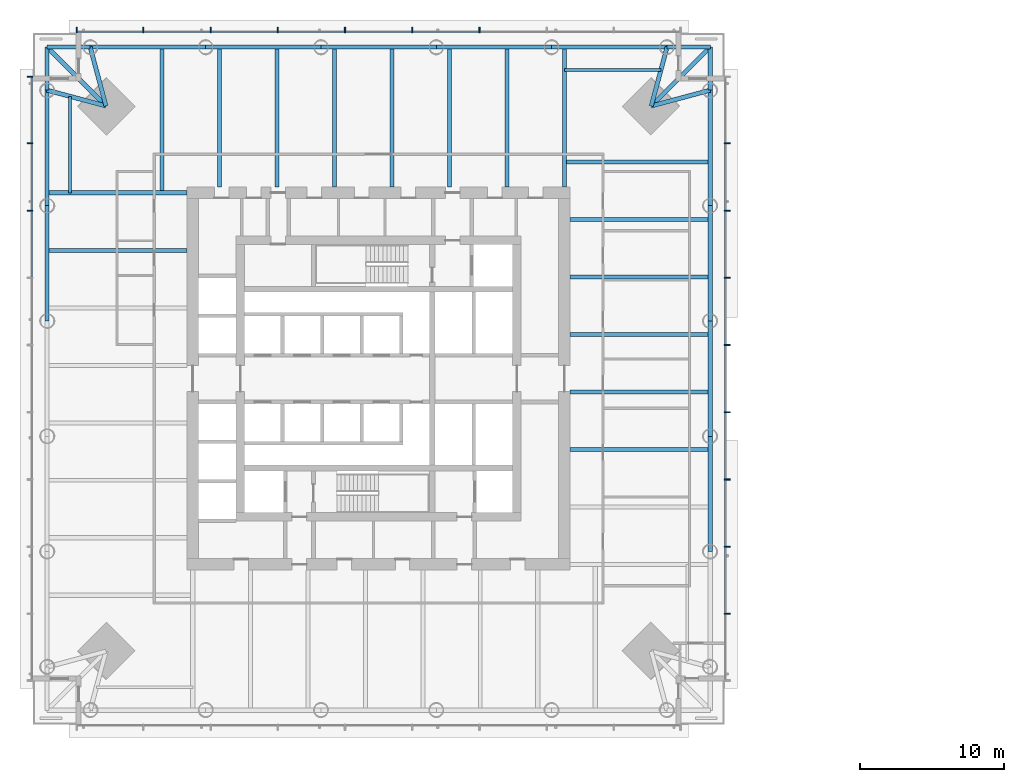
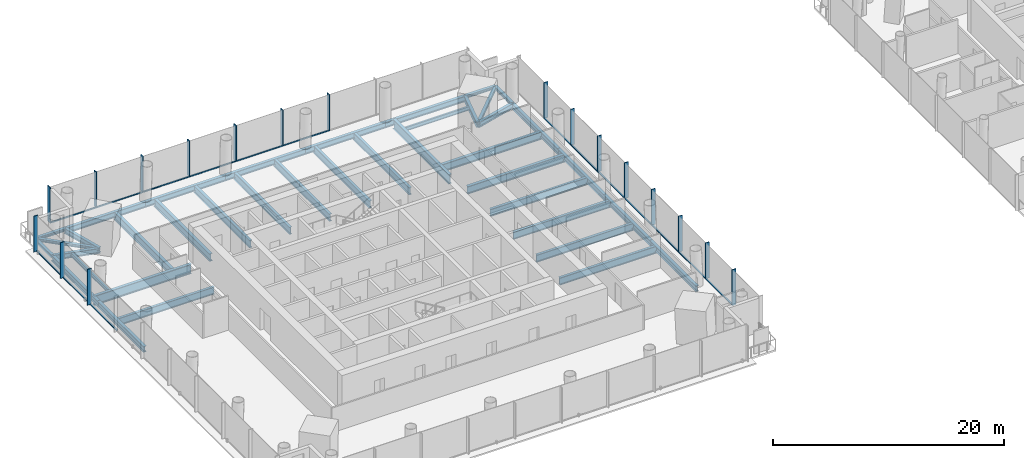
# One storey, part 3 of 26: 39 beams, 34 members, 3 elements without a shape of their own.
"""IFC4 building model written with IfcOpenShell, lengths in metres."""

from ifc_helpers import new_model, si_unit, direction, frame, origin, origin_2d, place, context, subcontext, project, spatial, rectangle, i_section, extrude, material, material_profile, profile_set, type_object, element, aggregate, save


model = new_model("IFC4")

# Units and contexts
model_context = context("Model", 3, precision=1e-05, world=origin(), true_north=direction((0.0, 1.0)))
body_context = subcontext(model_context, "Body", "Model", "MODEL_VIEW")
ifc_project = project(units=[si_unit("LENGTHUNIT", "METRE"), si_unit("AREAUNIT", "SQUARE_METRE"), si_unit("VOLUMEUNIT", "CUBIC_METRE"), si_unit("PLANEANGLEUNIT", "RADIAN"), si_unit("MASSUNIT", "GRAM", prefix="KILO")], contexts=[model_context])

# Site, building, storey
site_placement = place(None, origin())
site = spatial("IfcSite", under=ifc_project, at=site_placement, CompositionType="ELEMENT")
building_placement = place(site_placement, origin())
building = spatial("IfcBuilding", under=site, at=building_placement, Name="Ostroluk Exchange", CompositionType="ELEMENT")
storey_placement = place(building_placement, frame((0.0, 0.0, 51.39990234375)))
storey = spatial("IfcBuildingStorey", under=building, at=storey_placement, Name="L12", CompositionType="ELEMENT", Elevation=51.39990234375)

# Beams
ifc_material_1 = material(Name="Steel S355", Category="steel")
ifc_material_profile_1 = material_profile(ifc_material_1, i_section(OverallWidth=0.300048828125, OverallDepth=0.300048828125, WebThickness=0.010986328125, FlangeThickness=0.01904296875, FilletRadius=0.027099609375, at=origin_2d()), Name="HEB 300")
ifc_profile_set_1 = profile_set([ifc_material_profile_1], Name="Steel S355")
beam_type_1 = type_object("IfcBeamType", Name="Balcony beam HEB 300", PredefinedType="BEAM", material=ifc_profile_set_1)
for number, where, z_axis, x_axis, name in (
    (1, (68.028564453125, 66.028564453125, -0.329833984375), (0.0, 1.0, 0.0), (-1.0, 0.0, 0.0), "T1 east balcony beam a"),
    (2, (65.028564453125, 69.028564453125, -0.329833984375), (1.0, 0.0, 0.0), (0.0, 1.0, 0.0), "T1 east balcony beam b"),
):
    element("IfcBeam", number, at=place(storey_placement, frame(where, z_axis=z_axis, x_axis=x_axis)), inside=storey, type_object=beam_type_1, Name=name, PredefinedType="BEAM", context=body_context, shape_type="SweptSolid", body=[
        extrude(i_section(OverallWidth=0.300048828125, OverallDepth=0.300048828125, WebThickness=0.010986328125, FlangeThickness=0.01904296875, FilletRadius=0.027099609375, at=origin_2d()), origin(), (0.0, 0.0, 1.0), 3.0),
    ])
beam_1_placement = place(storey_placement, frame((63.928466796875, 64.928466796875, -0.329833984375), z_axis=(0.707106781187, 0.707106781187, 0.0), x_axis=(-0.707106781187, 0.707106781187, 0.0)))
element("IfcBeam", 3, at=beam_1_placement, inside=storey, type_object=beam_type_1, Name="T1 east balcony beam c", PredefinedType="BEAM", context=body_context, shape_type="SweptSolid", body=[
    extrude(i_section(OverallWidth=0.300048828125, OverallDepth=0.300048828125, WebThickness=0.010986328125, FlangeThickness=0.01904296875, FilletRadius=0.027099609375, at=origin_2d()), origin(), (0.0, 0.0, 1.0), 5.79833984375),
])
for number, where, z_axis, x_axis, name in (
    (4, (24.971435546875, 69.028564453125, -0.329833984375), (-1.0, 0.0, 0.0), (0.0, -1.0, 0.0), "T1 north balcony beam a"),
    (5, (21.971435546875, 66.028564453125, -0.329833984375), (0.0, 1.0, 0.0), (-1.0, 0.0, 0.0), "T1 north balcony beam b"),
):
    element("IfcBeam", number, at=place(storey_placement, frame(where, z_axis=z_axis, x_axis=x_axis)), inside=storey, type_object=beam_type_1, Name=name, PredefinedType="BEAM", context=body_context, shape_type="SweptSolid", body=[
        extrude(i_section(OverallWidth=0.300048828125, OverallDepth=0.300048828125, WebThickness=0.010986328125, FlangeThickness=0.01904296875, FilletRadius=0.027099609375, at=origin_2d()), origin(), (0.0, 0.0, 1.0), 3.0),
    ])
beam_2_placement = place(storey_placement, frame((26.071533203125, 64.928466796875, -0.329833984375), z_axis=(-0.707106781187, 0.707106781187, 0.0), x_axis=(-0.707106781187, -0.707106781187, 0.0)))
element("IfcBeam", 6, at=beam_2_placement, inside=storey, type_object=beam_type_1, Name="T1 north balcony beam c", PredefinedType="BEAM", context=body_context, shape_type="SweptSolid", body=[
    extrude(i_section(OverallWidth=0.300048828125, OverallDepth=0.300048828125, WebThickness=0.010986328125, FlangeThickness=0.01904296875, FilletRadius=0.027099609375, at=origin_2d()), origin(), (0.0, 0.0, 1.0), 5.79833984375),
])
ifc_material_2 = material(Name="Steel S355", Category="steel")
ifc_material_profile_2 = material_profile(ifc_material_2, i_section(OverallWidth=0.300048828125, OverallDepth=0.550048828125, WebThickness=0.014892578125, FlangeThickness=0.029052734375, FilletRadius=0.027099609375, at=origin_2d()), Name="HEB 550")
ifc_profile_set_2 = profile_set([ifc_material_profile_2], Name="Steel S355")
beam_type_2 = type_object("IfcBeamType", Name="Corner edge beam HEB 550", PredefinedType="SPANDREL", material=ifc_profile_set_2)
for number, where, z_axis, x_axis, name in (
    (7, (63.928466796875, 64.928466796875, -0.454833984375), (0.965838624319, 0.259144268261, 0.0), (-0.259144268261, 0.965838624319, 0.0), "T1 east corner edge beam a"),
    (8, (63.928466796875, 64.928466796875, -0.454833984375), (0.259144268261, 0.965838624319, 0.0), (-0.965838624319, 0.259144268261, 0.0), "T1 east corner edge beam b"),
    (9, (26.071533203125, 64.928466796875, -0.454833984375), (-0.259144268261, 0.965838624319, 0.0), (-0.965838624319, -0.259144268261, 0.0), "T1 north corner edge beam a"),
    (10, (26.071533203125, 64.928466796875, -0.454833984375), (-0.965838624319, 0.259144268261, 0.0), (-0.259144268261, -0.965838624319, 0.0), "T1 north corner edge beam b"),
):
    element("IfcBeam", number, at=place(storey_placement, frame(where, z_axis=z_axis, x_axis=x_axis)), inside=storey, type_object=beam_type_2, Name=name, PredefinedType="SPANDREL", context=body_context, shape_type="SweptSolid", body=[
        extrude(i_section(OverallWidth=0.300048828125, OverallDepth=0.550048828125, WebThickness=0.014892578125, FlangeThickness=0.029052734375, FilletRadius=0.027099609375, at=origin_2d()), origin(), (0.0, 0.0, 1.0), 4.2451171875),
    ])
ifc_material_3 = material(Name="Steel S355", Category="steel")
ifc_material_profile_3 = material_profile(ifc_material_3, i_section(OverallWidth=0.302978515625, OverallDepth=0.81396484375, WebThickness=0.02099609375, FlangeThickness=0.0400390625, FilletRadius=0.030029296875, at=origin_2d()), Name="HEM 800")
ifc_profile_set_3 = profile_set([ifc_material_profile_3], Name="Steel S355")
beam_type_3 = type_object("IfcBeamType", Name="Floor beam HEM 800", PredefinedType="BEAM", material=ifc_profile_set_3)
beam_3_placement = place(storey_placement, frame((58.300048828125, 57.052490234375, -0.5869140625), z_axis=(1.0, 0.0, 0.0), x_axis=(0.0, 1.0, 0.0)))
element("IfcBeam", 11, at=beam_3_placement, inside=storey, type_object=beam_type_3, Name="T1 east floor beam 6", PredefinedType="BEAM", context=body_context, shape_type="SweptSolid", body=[
    extrude(i_section(OverallWidth=0.302978515625, OverallDepth=0.81396484375, WebThickness=0.02099609375, FlangeThickness=0.0400390625, FilletRadius=0.030029296875, at=origin_2d()), origin(), (0.0, 0.0, 1.0), 9.728515625),
])
beam_4_placement = place(storey_placement, frame((57.89990234375, 61.04443359375, -0.5869140625), z_axis=(1.0, 0.0, 0.0), x_axis=(0.0, 1.0, 0.0)))
element("IfcBeam", 12, at=beam_4_placement, inside=storey, type_object=beam_type_3, Name="T1 east floor beam 7", PredefinedType="BEAM", context=body_context, shape_type="SweptSolid", body=[
    extrude(i_section(OverallWidth=0.302978515625, OverallDepth=0.81396484375, WebThickness=0.02099609375, FlangeThickness=0.0400390625, FilletRadius=0.030029296875, at=origin_2d()), origin(), (0.0, 0.0, 1.0), 10.128662109375),
])
beam_5_placement = place(storey_placement, frame((33.947509765625, 59.300048828125, -0.5869140625), z_axis=(0.0, 1.0, 0.0), x_axis=(-1.0, 0.0, 0.0)))
element("IfcBeam", 13, at=beam_5_placement, inside=storey, type_object=beam_type_3, Name="T1 north floor beam 6", PredefinedType="BEAM", context=body_context, shape_type="SweptSolid", body=[
    extrude(i_section(OverallWidth=0.302978515625, OverallDepth=0.81396484375, WebThickness=0.02099609375, FlangeThickness=0.0400390625, FilletRadius=0.030029296875, at=origin_2d()), origin(), (0.0, 0.0, 1.0), 9.728515625),
])
beam_6_placement = place(storey_placement, frame((29.95556640625, 58.89990234375, -0.5869140625), z_axis=(0.0, 1.0, 0.0), x_axis=(-1.0, 0.0, 0.0)))
element("IfcBeam", 14, at=beam_6_placement, inside=storey, type_object=beam_type_3, Name="T1 north floor beam 7", PredefinedType="BEAM", context=body_context, shape_type="SweptSolid", body=[
    extrude(i_section(OverallWidth=0.302978515625, OverallDepth=0.81396484375, WebThickness=0.02099609375, FlangeThickness=0.0400390625, FilletRadius=0.030029296875, at=origin_2d()), origin(), (0.0, 0.0, 1.0), 10.128662109375),
])
ifc_material_4 = material(Name="Steel S355", Category="steel")
ifc_material_profile_4 = material_profile(ifc_material_4, i_section(OverallWidth=0.179931640625, OverallDepth=0.39990234375, WebThickness=0.008544921875, FlangeThickness=0.013427734375, FilletRadius=0.02099609375, at=origin_2d()), Name="IPE 400")
ifc_profile_set_4 = profile_set([ifc_material_profile_4], Name="Steel S355")
beam_type_4 = type_object("IfcBeamType", Name="Floor beam IPE 400", PredefinedType="BEAM", material=ifc_profile_set_4)
for number, where, z_axis, x_axis, name in (
    (15, (57.89990234375, 67.428466796875, -0.3798828125), (1.0, 0.0, 0.0), (0.0, 1.0, 0.0), "T1 east floor beam 8"),
    (16, (23.571533203125, 58.89990234375, -0.3798828125), (0.0, 1.0, 0.0), (-1.0, 0.0, 0.0), "T1 north floor beam 8"),
):
    element("IfcBeam", number, at=place(storey_placement, frame(where, z_axis=z_axis, x_axis=x_axis)), inside=storey, type_object=beam_type_4, Name=name, PredefinedType="BEAM", context=body_context, shape_type="SweptSolid", body=[
        extrude(i_section(OverallWidth=0.179931640625, OverallDepth=0.39990234375, WebThickness=0.008544921875, FlangeThickness=0.013427734375, FilletRadius=0.02099609375, at=origin_2d()), origin(), (0.0, 0.0, 1.0), 6.699462890625),
    ])
ifc_material_5 = material(Name="Steel S355", Category="steel")
ifc_material_profile_5 = material_profile(ifc_material_5, i_section(OverallWidth=0.26806640625, OverallDepth=0.77001953125, WebThickness=0.015625, FlangeThickness=0.025390625, FilletRadius=0.01708984375, at=origin_2d()), Name="IPE 750x196")
ifc_profile_set_5 = profile_set([ifc_material_profile_5], Name="Steel S355")
beam_type_5 = type_object("IfcBeamType", Name="Floor beam IPE 750x196", PredefinedType="BEAM", material=ifc_profile_set_5)
for number, where, z_axis, x_axis, name in (
    (17, (58.300048828125, 41.084228515625, -0.56494140625), (1.0, 0.0, 0.0), (0.0, 1.0, 0.0), "T1 east floor beam 2"),
    (18, (58.300048828125, 45.076171875, -0.56494140625), (1.0, 0.0, 0.0), (0.0, 1.0, 0.0), "T1 east floor beam 3"),
    (19, (58.300048828125, 49.068359375, -0.56494140625), (1.0, 0.0, 0.0), (0.0, 1.0, 0.0), "T1 east floor beam 4"),
    (20, (58.300048828125, 53.060302734375, -0.56494140625), (1.0, 0.0, 0.0), (0.0, 1.0, 0.0), "T1 east floor beam 5"),
    (21, (53.907958984375, 59.300048828125, -0.56494140625), (0.0, 1.0, 0.0), (-1.0, 0.0, 0.0), "T1 north floor beam 1"),
    (22, (49.915771484375, 59.300048828125, -0.56494140625), (0.0, 1.0, 0.0), (-1.0, 0.0, 0.0), "T1 north floor beam 2"),
    (23, (45.923828125, 59.300048828125, -0.56494140625), (0.0, 1.0, 0.0), (-1.0, 0.0, 0.0), "T1 north floor beam 3"),
    (24, (41.931640625, 59.300048828125, -0.56494140625), (0.0, 1.0, 0.0), (-1.0, 0.0, 0.0), "T1 north floor beam 4"),
    (25, (37.939697265625, 59.300048828125, -0.56494140625), (0.0, 1.0, 0.0), (-1.0, 0.0, 0.0), "T1 north floor beam 5"),
    (26, (31.699951171875, 54.907958984375, -0.56494140625), (-1.0, 0.0, 0.0), (0.0, -1.0, 0.0), "T1 west floor beam 1"),
):
    element("IfcBeam", number, at=place(storey_placement, frame(where, z_axis=z_axis, x_axis=x_axis)), inside=storey, type_object=beam_type_5, Name=name, PredefinedType="BEAM", context=body_context, shape_type="SweptSolid", body=[
        extrude(i_section(OverallWidth=0.26806640625, OverallDepth=0.77001953125, WebThickness=0.015625, FlangeThickness=0.025390625, FilletRadius=0.01708984375, at=origin_2d()), origin(), (0.0, 0.0, 1.0), 9.728515625),
    ])
ifc_material_6 = material(Name="Steel S355", Category="steel")
ifc_material_profile_6 = material_profile(ifc_material_6, i_section(OverallWidth=0.302001953125, OverallDepth=1.008056640625, WebThickness=0.02099609375, FlangeThickness=0.0400390625, FilletRadius=0.030029296875, at=origin_2d()), Name="HEM 1000")
ifc_profile_set_6 = profile_set([ifc_material_profile_6], Name="Steel S355")
beam_type_6 = type_object("IfcBeamType", Name="Girder HEM 1000", PredefinedType="BEAM", material=ifc_profile_set_6)
for number, where, z_axis, x_axis, name in (
    (27, (57.89990234375, 59.300048828125, -0.683837890625), (0.0, 1.0, 0.0), (-1.0, 0.0, 0.0), "T1 east girder"),
    (28, (31.699951171875, 58.89990234375, -0.683837890625), (-1.0, 0.0, 0.0), (0.0, -1.0, 0.0), "T1 north girder"),
):
    element("IfcBeam", number, at=place(storey_placement, frame(where, z_axis=z_axis, x_axis=x_axis)), inside=storey, type_object=beam_type_6, Name=name, PredefinedType="BEAM", context=body_context, shape_type="SweptSolid", body=[
        extrude(i_section(OverallWidth=0.302001953125, OverallDepth=1.008056640625, WebThickness=0.02099609375, FlangeThickness=0.0400390625, FilletRadius=0.030029296875, at=origin_2d()), origin(), (0.0, 0.0, 1.0), 9.728515625),
    ])
ifc_material_7 = material(Name="Steel S355", Category="steel")
ifc_material_profile_7 = material_profile(ifc_material_7, i_section(OverallWidth=0.300048828125, OverallDepth=0.60009765625, WebThickness=0.015380859375, FlangeThickness=0.030029296875, FilletRadius=0.027099609375, at=origin_2d()), Name="HEB 600")
ifc_profile_set_7 = profile_set([ifc_material_profile_7], Name="Steel S355")
beam_type_7 = type_object("IfcBeamType", Name="Moment-connected edge beam HEB 600", PredefinedType="SPANDREL", material=ifc_profile_set_7)
beam_7_placement = place(storey_placement, frame((68.028564453125, 33.98291015625, -0.47998046875), z_axis=(0.0, 1.0, 0.0), x_axis=(-1.0, 0.0, 0.0)))
element("IfcBeam", 29, at=beam_7_placement, inside=storey, type_object=beam_type_7, Name="T1 east edge beam 2", PredefinedType="SPANDREL", context=body_context, shape_type="SweptSolid", body=[
    extrude(i_section(OverallWidth=0.300048828125, OverallDepth=0.60009765625, WebThickness=0.015380859375, FlangeThickness=0.030029296875, FilletRadius=0.027099609375, at=origin_2d()), origin(), (0.0, 0.0, 1.0), 8.011474609375),
])
beam_8_placement = place(storey_placement, frame((68.028564453125, 41.994384765625, -0.47998046875), z_axis=(0.0, 1.0, 0.0), x_axis=(-1.0, 0.0, 0.0)))
element("IfcBeam", 30, at=beam_8_placement, inside=storey, type_object=beam_type_7, Name="T1 east edge beam 3", PredefinedType="SPANDREL", context=body_context, shape_type="SweptSolid", body=[
    extrude(i_section(OverallWidth=0.300048828125, OverallDepth=0.60009765625, WebThickness=0.015380859375, FlangeThickness=0.030029296875, FilletRadius=0.027099609375, at=origin_2d()), origin(), (0.0, 0.0, 1.0), 8.01123046875),
])
for number, where, z_axis, x_axis, name in (
    (31, (68.028564453125, 50.005615234375, -0.47998046875), (0.0, 1.0, 0.0), (-1.0, 0.0, 0.0), "T1 east edge beam 4"),
    (32, (68.028564453125, 58.01708984375, -0.47998046875), (0.0, 1.0, 0.0), (-1.0, 0.0, 0.0), "T1 east edge beam 5"),
    (33, (65.028564453125, 69.028564453125, -0.47998046875), (-1.0, 0.0, 0.0), (0.0, -1.0, 0.0), "T1 north edge beam 1"),
    (34, (57.01708984375, 69.028564453125, -0.47998046875), (-1.0, 0.0, 0.0), (0.0, -1.0, 0.0), "T1 north edge beam 2"),
):
    element("IfcBeam", number, at=place(storey_placement, frame(where, z_axis=z_axis, x_axis=x_axis)), inside=storey, type_object=beam_type_7, Name=name, PredefinedType="SPANDREL", context=body_context, shape_type="SweptSolid", body=[
        extrude(i_section(OverallWidth=0.300048828125, OverallDepth=0.60009765625, WebThickness=0.015380859375, FlangeThickness=0.030029296875, FilletRadius=0.027099609375, at=origin_2d()), origin(), (0.0, 0.0, 1.0), 8.011474609375),
    ])
beam_9_placement = place(storey_placement, frame((49.005615234375, 69.028564453125, -0.47998046875), z_axis=(-1.0, 0.0, 0.0), x_axis=(0.0, -1.0, 0.0)))
element("IfcBeam", 35, at=beam_9_placement, inside=storey, type_object=beam_type_7, Name="T1 north edge beam 3", PredefinedType="SPANDREL", context=body_context, shape_type="SweptSolid", body=[
    extrude(i_section(OverallWidth=0.300048828125, OverallDepth=0.60009765625, WebThickness=0.015380859375, FlangeThickness=0.030029296875, FilletRadius=0.027099609375, at=origin_2d()), origin(), (0.0, 0.0, 1.0), 8.01123046875),
])
for number, where, z_axis, x_axis, name in (
    (36, (40.994384765625, 69.028564453125, -0.47998046875), (-1.0, 0.0, 0.0), (0.0, -1.0, 0.0), "T1 north edge beam 4"),
    (37, (32.98291015625, 69.028564453125, -0.47998046875), (-1.0, 0.0, 0.0), (0.0, -1.0, 0.0), "T1 north edge beam 5"),
    (38, (21.971435546875, 66.028564453125, -0.47998046875), (0.0, -1.0, 0.0), (1.0, 0.0, 0.0), "T1 west edge beam 1"),
    (39, (21.971435546875, 58.01708984375, -0.47998046875), (0.0, -1.0, 0.0), (1.0, 0.0, 0.0), "T1 west edge beam 2"),
):
    element("IfcBeam", number, at=place(storey_placement, frame(where, z_axis=z_axis, x_axis=x_axis)), inside=storey, type_object=beam_type_7, Name=name, PredefinedType="SPANDREL", context=body_context, shape_type="SweptSolid", body=[
        extrude(i_section(OverallWidth=0.300048828125, OverallDepth=0.60009765625, WebThickness=0.015380859375, FlangeThickness=0.030029296875, FilletRadius=0.027099609375, at=origin_2d()), origin(), (0.0, 0.0, 1.0), 8.011474609375),
    ])

# Curtain wall, members
ifc_material_8 = material(Name="Laminated clear glass", Category="glass")
curtain_wall_type = type_object("IfcCurtainWallType", Name="Office tower facade", PredefinedType="USERDEFINED", material=ifc_material_8)
curtain_wall_1_placement = place(storey_placement, origin())
curtain_wall_1 = element("IfcCurtainWall", 40, at=curtain_wall_1_placement, inside=storey, type_object=curtain_wall_type, Name="Office tower east facade L12", ObjectType="UNITISED CURTAIN WALL", PredefinedType="USERDEFINED")
ifc_material_9 = material(Name="Aluminium mullion", Category="aluminium")
ifc_material_profile_8 = material_profile(ifc_material_9, rectangle(XDim=0.14990234375, YDim=0.080078125, at=origin_2d()), Name="Sill transom 80 x 150")
ifc_profile_set_8 = profile_set([ifc_material_profile_8], Name="Aluminium mullion")
member_type_1 = type_object("IfcMemberType", Name="Sill transom 80 x 150", PredefinedType="USERDEFINED", material=ifc_profile_set_8)
member_1_placement = place(storey_placement, frame((69.074951171875, 29.706787109375, 0.0400390625), z_axis=(0.0, 1.0, 0.0), x_axis=(-1.0, 0.0, 0.0)))
member_1 = element("IfcMember", 41, at=member_1_placement, type_object=member_type_1, Name="CW-O1 transom 2.1", ObjectType="TRANSOM", PredefinedType="USERDEFINED", context=body_context, shape_type="SweptSolid", body=[
    extrude(rectangle(XDim=0.14990234375, YDim=0.080078125, at=origin_2d()), origin(), (0.0, 0.0, 1.0), 4.58642578125),
])
member_2_placement = place(storey_placement, frame((69.074951171875, 34.373291015625, 0.0400390625), z_axis=(0.0, 1.0, 0.0), x_axis=(-1.0, 0.0, 0.0)))
member_2 = element("IfcMember", 42, at=member_2_placement, type_object=member_type_1, Name="CW-O1 transom 3.1", ObjectType="TRANSOM", PredefinedType="USERDEFINED", context=body_context, shape_type="SweptSolid", body=[
    extrude(rectangle(XDim=0.14990234375, YDim=0.080078125, at=origin_2d()), origin(), (0.0, 0.0, 1.0), 4.586669921875),
])
member_3_placement = place(storey_placement, frame((69.074951171875, 39.0400390625, 0.0400390625), z_axis=(0.0, 1.0, 0.0), x_axis=(-1.0, 0.0, 0.0)))
member_3 = element("IfcMember", 43, at=member_3_placement, type_object=member_type_1, Name="CW-O1 transom 4.1", ObjectType="TRANSOM", PredefinedType="USERDEFINED", context=body_context, shape_type="SweptSolid", body=[
    extrude(rectangle(XDim=0.14990234375, YDim=0.080078125, at=origin_2d()), origin(), (0.0, 0.0, 1.0), 4.586669921875),
])
member_4_placement = place(storey_placement, frame((69.074951171875, 43.706787109375, 0.0400390625), z_axis=(0.0, 1.0, 0.0), x_axis=(-1.0, 0.0, 0.0)))
member_4 = element("IfcMember", 44, at=member_4_placement, type_object=member_type_1, Name="CW-O1 transom 5.1", ObjectType="TRANSOM", PredefinedType="USERDEFINED", context=body_context, shape_type="SweptSolid", body=[
    extrude(rectangle(XDim=0.14990234375, YDim=0.080078125, at=origin_2d()), origin(), (0.0, 0.0, 1.0), 4.58642578125),
])
member_5_placement = place(storey_placement, frame((69.074951171875, 48.373291015625, 0.0400390625), z_axis=(0.0, 1.0, 0.0), x_axis=(-1.0, 0.0, 0.0)))
member_5 = element("IfcMember", 45, at=member_5_placement, type_object=member_type_1, Name="CW-O1 transom 6.1", ObjectType="TRANSOM", PredefinedType="USERDEFINED", context=body_context, shape_type="SweptSolid", body=[
    extrude(rectangle(XDim=0.14990234375, YDim=0.080078125, at=origin_2d()), origin(), (0.0, 0.0, 1.0), 4.586669921875),
])
member_6_placement = place(storey_placement, frame((69.074951171875, 53.0400390625, 0.0400390625), z_axis=(0.0, 1.0, 0.0), x_axis=(-1.0, 0.0, 0.0)))
member_6 = element("IfcMember", 46, at=member_6_placement, type_object=member_type_1, Name="CW-O1 transom 7.1", ObjectType="TRANSOM", PredefinedType="USERDEFINED", context=body_context, shape_type="SweptSolid", body=[
    extrude(rectangle(XDim=0.14990234375, YDim=0.080078125, at=origin_2d()), origin(), (0.0, 0.0, 1.0), 4.586669921875),
])
member_7_placement = place(storey_placement, frame((69.074951171875, 57.706787109375, 0.0400390625), z_axis=(0.0, 1.0, 0.0), x_axis=(-1.0, 0.0, 0.0)))
member_7 = element("IfcMember", 47, at=member_7_placement, type_object=member_type_1, Name="CW-O1 transom 8.1", ObjectType="TRANSOM", PredefinedType="USERDEFINED", context=body_context, shape_type="SweptSolid", body=[
    extrude(rectangle(XDim=0.14990234375, YDim=0.080078125, at=origin_2d()), origin(), (0.0, 0.0, 1.0), 4.58642578125),
])

curtain_wall_2_placement = place(storey_placement, origin())
curtain_wall_2 = element("IfcCurtainWall", 48, at=curtain_wall_2_placement, inside=storey, type_object=curtain_wall_type, Name="Office tower north facade L12", ObjectType="UNITISED CURTAIN WALL", PredefinedType="USERDEFINED")
member_8_placement = place(storey_placement, frame((51.9599609375, 70.074951171875, 0.0400390625), z_axis=(-1.0, 0.0, 0.0), x_axis=(0.0, -1.0, 0.0)))
member_8 = element("IfcMember", 49, at=member_8_placement, type_object=member_type_1, Name="CW-O1 transom 4.1", ObjectType="TRANSOM", PredefinedType="USERDEFINED", context=body_context, shape_type="SweptSolid", body=[
    extrude(rectangle(XDim=0.14990234375, YDim=0.080078125, at=origin_2d()), origin(), (0.0, 0.0, 1.0), 4.586669921875),
])
member_9_placement = place(storey_placement, frame((47.293212890625, 70.074951171875, 0.0400390625), z_axis=(-1.0, 0.0, 0.0), x_axis=(0.0, -1.0, 0.0)))
member_9 = element("IfcMember", 50, at=member_9_placement, type_object=member_type_1, Name="CW-O1 transom 5.1", ObjectType="TRANSOM", PredefinedType="USERDEFINED", context=body_context, shape_type="SweptSolid", body=[
    extrude(rectangle(XDim=0.14990234375, YDim=0.080078125, at=origin_2d()), origin(), (0.0, 0.0, 1.0), 4.58642578125),
])
member_10_placement = place(storey_placement, frame((42.626708984375, 70.074951171875, 0.0400390625), z_axis=(-1.0, 0.0, 0.0), x_axis=(0.0, -1.0, 0.0)))
member_10 = element("IfcMember", 51, at=member_10_placement, type_object=member_type_1, Name="CW-O1 transom 6.1", ObjectType="TRANSOM", PredefinedType="USERDEFINED", context=body_context, shape_type="SweptSolid", body=[
    extrude(rectangle(XDim=0.14990234375, YDim=0.080078125, at=origin_2d()), origin(), (0.0, 0.0, 1.0), 4.586669921875),
])
member_11_placement = place(storey_placement, frame((37.9599609375, 70.074951171875, 0.0400390625), z_axis=(-1.0, 0.0, 0.0), x_axis=(0.0, -1.0, 0.0)))
member_11 = element("IfcMember", 52, at=member_11_placement, type_object=member_type_1, Name="CW-O1 transom 7.1", ObjectType="TRANSOM", PredefinedType="USERDEFINED", context=body_context, shape_type="SweptSolid", body=[
    extrude(rectangle(XDim=0.14990234375, YDim=0.080078125, at=origin_2d()), origin(), (0.0, 0.0, 1.0), 4.586669921875),
])
member_12_placement = place(storey_placement, frame((33.293212890625, 70.074951171875, 0.0400390625), z_axis=(-1.0, 0.0, 0.0), x_axis=(0.0, -1.0, 0.0)))
member_12 = element("IfcMember", 53, at=member_12_placement, type_object=member_type_1, Name="CW-O1 transom 8.1", ObjectType="TRANSOM", PredefinedType="USERDEFINED", context=body_context, shape_type="SweptSolid", body=[
    extrude(rectangle(XDim=0.14990234375, YDim=0.080078125, at=origin_2d()), origin(), (0.0, 0.0, 1.0), 4.58642578125),
])
member_13_placement = place(storey_placement, frame((28.626708984375, 70.074951171875, 0.0400390625), z_axis=(-1.0, 0.0, 0.0), x_axis=(0.0, -1.0, 0.0)))
member_13 = element("IfcMember", 54, at=member_13_placement, type_object=member_type_1, Name="CW-O1 transom 9.1", ObjectType="TRANSOM", PredefinedType="USERDEFINED", context=body_context, shape_type="SweptSolid", body=[
    extrude(rectangle(XDim=0.14990234375, YDim=0.080078125, at=origin_2d()), origin(), (0.0, 0.0, 1.0), 4.546630859375),
])

curtain_wall_3_placement = place(storey_placement, origin())
curtain_wall_3 = element("IfcCurtainWall", 55, at=curtain_wall_3_placement, inside=storey, type_object=curtain_wall_type, Name="Office tower west facade L12", ObjectType="UNITISED CURTAIN WALL", PredefinedType="USERDEFINED")
member_14_placement = place(storey_placement, frame((20.925048828125, 66.919921875, 0.0400390625), z_axis=(0.0, -1.0, 0.0), x_axis=(1.0, 0.0, 0.0)))
member_14 = element("IfcMember", 56, at=member_14_placement, type_object=member_type_1, Name="CW-O1 transom 1.1", ObjectType="TRANSOM", PredefinedType="USERDEFINED", context=body_context, shape_type="SweptSolid", body=[
    extrude(rectangle(XDim=0.14990234375, YDim=0.080078125, at=origin_2d()), origin(), (0.0, 0.0, 1.0), 4.546630859375),
])
member_15_placement = place(storey_placement, frame((20.925048828125, 62.293212890625, 0.0400390625), z_axis=(0.0, -1.0, 0.0), x_axis=(1.0, 0.0, 0.0)))
member_15 = element("IfcMember", 57, at=member_15_placement, type_object=member_type_1, Name="CW-O1 transom 2.1", ObjectType="TRANSOM", PredefinedType="USERDEFINED", context=body_context, shape_type="SweptSolid", body=[
    extrude(rectangle(XDim=0.14990234375, YDim=0.080078125, at=origin_2d()), origin(), (0.0, 0.0, 1.0), 4.58642578125),
])
member_16_placement = place(storey_placement, frame((20.925048828125, 57.626708984375, 0.0400390625), z_axis=(0.0, -1.0, 0.0), x_axis=(1.0, 0.0, 0.0)))
member_16 = element("IfcMember", 58, at=member_16_placement, type_object=member_type_1, Name="CW-O1 transom 3.1", ObjectType="TRANSOM", PredefinedType="USERDEFINED", context=body_context, shape_type="SweptSolid", body=[
    extrude(rectangle(XDim=0.14990234375, YDim=0.080078125, at=origin_2d()), origin(), (0.0, 0.0, 1.0), 4.586669921875),
])

# Member
ifc_material_10 = material(Name="Aluminium mullion with limestone facing", Category="masonry")
ifc_material_profile_9 = material_profile(ifc_material_10, rectangle(XDim=0.39990234375, YDim=0.080078125, at=origin_2d()), Name="Tracery mullion 80 x 400")
ifc_profile_set_9 = profile_set([ifc_material_profile_9], Name="Aluminium mullion with limestone facing")
member_type_2 = type_object("IfcMemberType", Name="Tracery mullion 80 x 400", PredefinedType="MULLION", material=ifc_profile_set_9)
member_17_placement = place(storey_placement, frame((69.199951171875, 29.666748046875, 0.0), z_axis=(0.0, 0.0, 1.0), x_axis=(-1.0, 0.0, 0.0)))
member_17 = element("IfcMember", 59, at=member_17_placement, type_object=member_type_2, Name="CW-O1 mullion 2", PredefinedType="MULLION", context=body_context, shape_type="SweptSolid", body=[
    extrude(rectangle(XDim=0.39990234375, YDim=0.080078125, at=origin_2d()), origin(), (0.0, 0.0, 1.0), 3.800048828125),
])

member_18_placement = place(storey_placement, frame((69.199951171875, 34.333251953125, 0.0), z_axis=(0.0, 0.0, 1.0), x_axis=(-1.0, 0.0, 0.0)))
member_18 = element("IfcMember", 60, at=member_18_placement, type_object=member_type_2, Name="CW-O1 mullion 3", PredefinedType="MULLION", context=body_context, shape_type="SweptSolid", body=[
    extrude(rectangle(XDim=0.39990234375, YDim=0.080078125, at=origin_2d()), origin(), (0.0, 0.0, 1.0), 3.800048828125),
])

member_19_placement = place(storey_placement, frame((69.199951171875, 39.0, 0.0), z_axis=(0.0, 0.0, 1.0), x_axis=(-1.0, 0.0, 0.0)))
member_19 = element("IfcMember", 61, at=member_19_placement, type_object=member_type_2, Name="CW-O1 mullion 4", PredefinedType="MULLION", context=body_context, shape_type="SweptSolid", body=[
    extrude(rectangle(XDim=0.39990234375, YDim=0.080078125, at=origin_2d()), origin(), (0.0, 0.0, 1.0), 3.800048828125),
])

member_20_placement = place(storey_placement, frame((69.199951171875, 43.666748046875, 0.0), z_axis=(0.0, 0.0, 1.0), x_axis=(-1.0, 0.0, 0.0)))
member_20 = element("IfcMember", 62, at=member_20_placement, type_object=member_type_2, Name="CW-O1 mullion 5", PredefinedType="MULLION", context=body_context, shape_type="SweptSolid", body=[
    extrude(rectangle(XDim=0.39990234375, YDim=0.080078125, at=origin_2d()), origin(), (0.0, 0.0, 1.0), 3.800048828125),
])

member_21_placement = place(storey_placement, frame((69.199951171875, 48.333251953125, 0.0), z_axis=(0.0, 0.0, 1.0), x_axis=(-1.0, 0.0, 0.0)))
member_21 = element("IfcMember", 63, at=member_21_placement, type_object=member_type_2, Name="CW-O1 mullion 6", PredefinedType="MULLION", context=body_context, shape_type="SweptSolid", body=[
    extrude(rectangle(XDim=0.39990234375, YDim=0.080078125, at=origin_2d()), origin(), (0.0, 0.0, 1.0), 3.800048828125),
])

member_22_placement = place(storey_placement, frame((69.199951171875, 53.0, 0.0), z_axis=(0.0, 0.0, 1.0), x_axis=(-1.0, 0.0, 0.0)))
member_22 = element("IfcMember", 64, at=member_22_placement, type_object=member_type_2, Name="CW-O1 mullion 7", PredefinedType="MULLION", context=body_context, shape_type="SweptSolid", body=[
    extrude(rectangle(XDim=0.39990234375, YDim=0.080078125, at=origin_2d()), origin(), (0.0, 0.0, 1.0), 3.800048828125),
])

member_23_placement = place(storey_placement, frame((69.199951171875, 57.666748046875, 0.0), z_axis=(0.0, 0.0, 1.0), x_axis=(-1.0, 0.0, 0.0)))
member_23 = element("IfcMember", 65, at=member_23_placement, type_object=member_type_2, Name="CW-O1 mullion 8", PredefinedType="MULLION", context=body_context, shape_type="SweptSolid", body=[
    extrude(rectangle(XDim=0.39990234375, YDim=0.080078125, at=origin_2d()), origin(), (0.0, 0.0, 1.0), 3.800048828125),
])

member_24_placement = place(storey_placement, frame((69.199951171875, 62.333251953125, 0.0), z_axis=(0.0, 0.0, 1.0), x_axis=(-1.0, 0.0, 0.0)))
member_24 = element("IfcMember", 66, at=member_24_placement, type_object=member_type_2, Name="CW-O1 mullion 9", PredefinedType="MULLION", context=body_context, shape_type="SweptSolid", body=[
    extrude(rectangle(XDim=0.39990234375, YDim=0.080078125, at=origin_2d()), origin(), (0.0, 0.0, 1.0), 3.800048828125),
])

aggregate(curtain_wall_1, [member_17, member_18, member_19, member_20, member_21, member_22, member_23, member_24, member_1, member_2, member_3, member_4, member_5, member_6, member_7])

member_25_placement = place(storey_placement, frame((52.0, 70.199951171875, 0.0), z_axis=(0.0, 0.0, 1.0), x_axis=(0.0, -1.0, 0.0)))
member_25 = element("IfcMember", 67, at=member_25_placement, type_object=member_type_2, Name="CW-O1 mullion 4", PredefinedType="MULLION", context=body_context, shape_type="SweptSolid", body=[
    extrude(rectangle(XDim=0.39990234375, YDim=0.080078125, at=origin_2d()), origin(), (0.0, 0.0, 1.0), 3.800048828125),
])

member_26_placement = place(storey_placement, frame((47.333251953125, 70.199951171875, 0.0), z_axis=(0.0, 0.0, 1.0), x_axis=(0.0, -1.0, 0.0)))
member_26 = element("IfcMember", 68, at=member_26_placement, type_object=member_type_2, Name="CW-O1 mullion 5", PredefinedType="MULLION", context=body_context, shape_type="SweptSolid", body=[
    extrude(rectangle(XDim=0.39990234375, YDim=0.080078125, at=origin_2d()), origin(), (0.0, 0.0, 1.0), 3.800048828125),
])

member_27_placement = place(storey_placement, frame((42.666748046875, 70.199951171875, 0.0), z_axis=(0.0, 0.0, 1.0), x_axis=(0.0, -1.0, 0.0)))
member_27 = element("IfcMember", 69, at=member_27_placement, type_object=member_type_2, Name="CW-O1 mullion 6", PredefinedType="MULLION", context=body_context, shape_type="SweptSolid", body=[
    extrude(rectangle(XDim=0.39990234375, YDim=0.080078125, at=origin_2d()), origin(), (0.0, 0.0, 1.0), 3.800048828125),
])

member_28_placement = place(storey_placement, frame((38.0, 70.199951171875, 0.0), z_axis=(0.0, 0.0, 1.0), x_axis=(0.0, -1.0, 0.0)))
member_28 = element("IfcMember", 70, at=member_28_placement, type_object=member_type_2, Name="CW-O1 mullion 7", PredefinedType="MULLION", context=body_context, shape_type="SweptSolid", body=[
    extrude(rectangle(XDim=0.39990234375, YDim=0.080078125, at=origin_2d()), origin(), (0.0, 0.0, 1.0), 3.800048828125),
])

member_29_placement = place(storey_placement, frame((33.333251953125, 70.199951171875, 0.0), z_axis=(0.0, 0.0, 1.0), x_axis=(0.0, -1.0, 0.0)))
member_29 = element("IfcMember", 71, at=member_29_placement, type_object=member_type_2, Name="CW-O1 mullion 8", PredefinedType="MULLION", context=body_context, shape_type="SweptSolid", body=[
    extrude(rectangle(XDim=0.39990234375, YDim=0.080078125, at=origin_2d()), origin(), (0.0, 0.0, 1.0), 3.800048828125),
])

member_30_placement = place(storey_placement, frame((28.666748046875, 70.199951171875, 0.0), z_axis=(0.0, 0.0, 1.0), x_axis=(0.0, -1.0, 0.0)))
member_30 = element("IfcMember", 72, at=member_30_placement, type_object=member_type_2, Name="CW-O1 mullion 9", PredefinedType="MULLION", context=body_context, shape_type="SweptSolid", body=[
    extrude(rectangle(XDim=0.39990234375, YDim=0.080078125, at=origin_2d()), origin(), (0.0, 0.0, 1.0), 3.800048828125),
])

member_31_placement = place(storey_placement, frame((24.0400390625, 70.199951171875, 0.0), z_axis=(0.0, 0.0, 1.0), x_axis=(0.0, -1.0, 0.0)))
member_31 = element("IfcMember", 73, at=member_31_placement, type_object=member_type_2, Name="CW-O1 mullion 10", PredefinedType="MULLION", context=body_context, shape_type="SweptSolid", body=[
    extrude(rectangle(XDim=0.39990234375, YDim=0.080078125, at=origin_2d()), origin(), (0.0, 0.0, 1.0), 3.800048828125),
])

aggregate(curtain_wall_2, [member_25, member_26, member_27, member_28, member_29, member_30, member_31, member_8, member_9, member_10, member_11, member_12, member_13])

member_32_placement = place(storey_placement, frame((20.800048828125, 66.9599609375, 0.0), z_axis=(0.0, 0.0, 1.0), x_axis=(1.0, 0.0, 0.0)))
member_32 = element("IfcMember", 74, at=member_32_placement, type_object=member_type_2, Name="CW-O1 mullion 1", PredefinedType="MULLION", context=body_context, shape_type="SweptSolid", body=[
    extrude(rectangle(XDim=0.39990234375, YDim=0.080078125, at=origin_2d()), origin(), (0.0, 0.0, 1.0), 3.800048828125),
])

member_33_placement = place(storey_placement, frame((20.800048828125, 62.333251953125, 0.0), z_axis=(0.0, 0.0, 1.0), x_axis=(1.0, 0.0, 0.0)))
member_33 = element("IfcMember", 75, at=member_33_placement, type_object=member_type_2, Name="CW-O1 mullion 2", PredefinedType="MULLION", context=body_context, shape_type="SweptSolid", body=[
    extrude(rectangle(XDim=0.39990234375, YDim=0.080078125, at=origin_2d()), origin(), (0.0, 0.0, 1.0), 3.800048828125),
])

member_34_placement = place(storey_placement, frame((20.800048828125, 57.666748046875, 0.0), z_axis=(0.0, 0.0, 1.0), x_axis=(1.0, 0.0, 0.0)))
member_34 = element("IfcMember", 76, at=member_34_placement, type_object=member_type_2, Name="CW-O1 mullion 3", PredefinedType="MULLION", context=body_context, shape_type="SweptSolid", body=[
    extrude(rectangle(XDim=0.39990234375, YDim=0.080078125, at=origin_2d()), origin(), (0.0, 0.0, 1.0), 3.800048828125),
])

aggregate(curtain_wall_3, [member_32, member_33, member_34, member_14, member_15, member_16])

save(model, "model.ifc")
